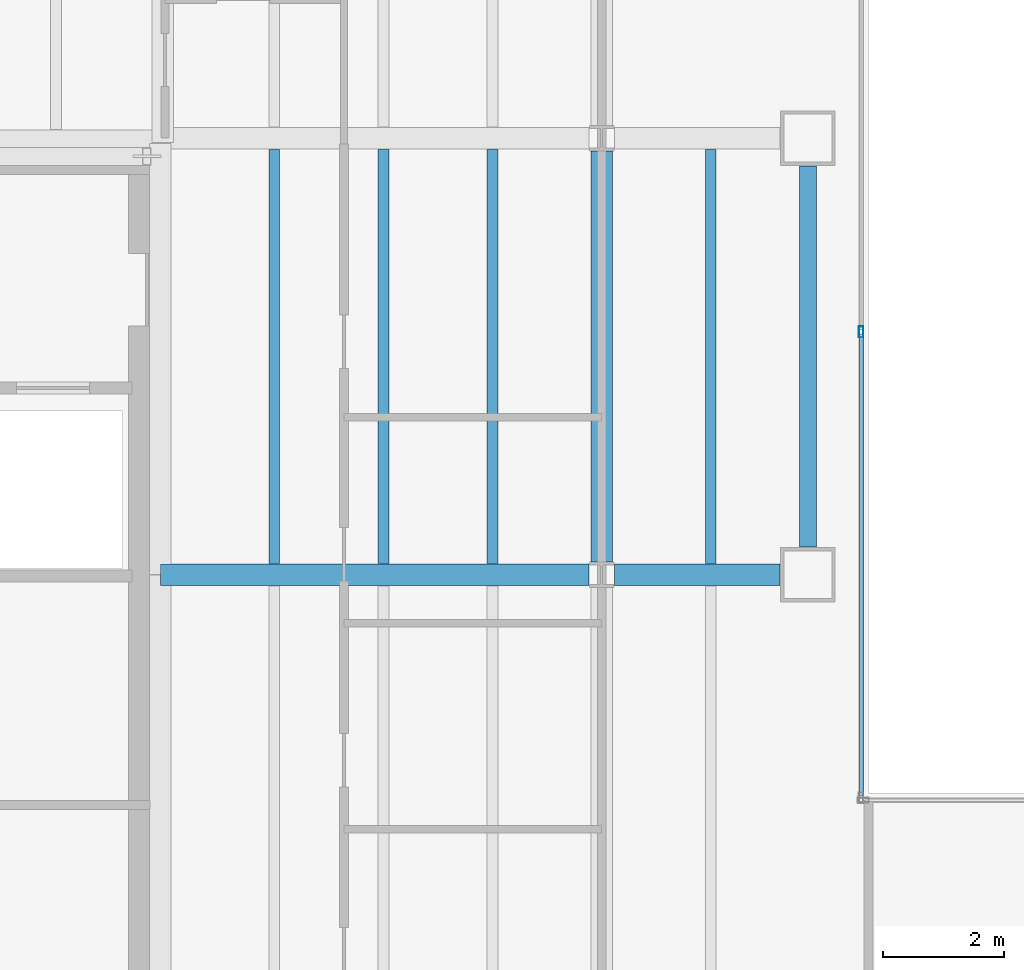
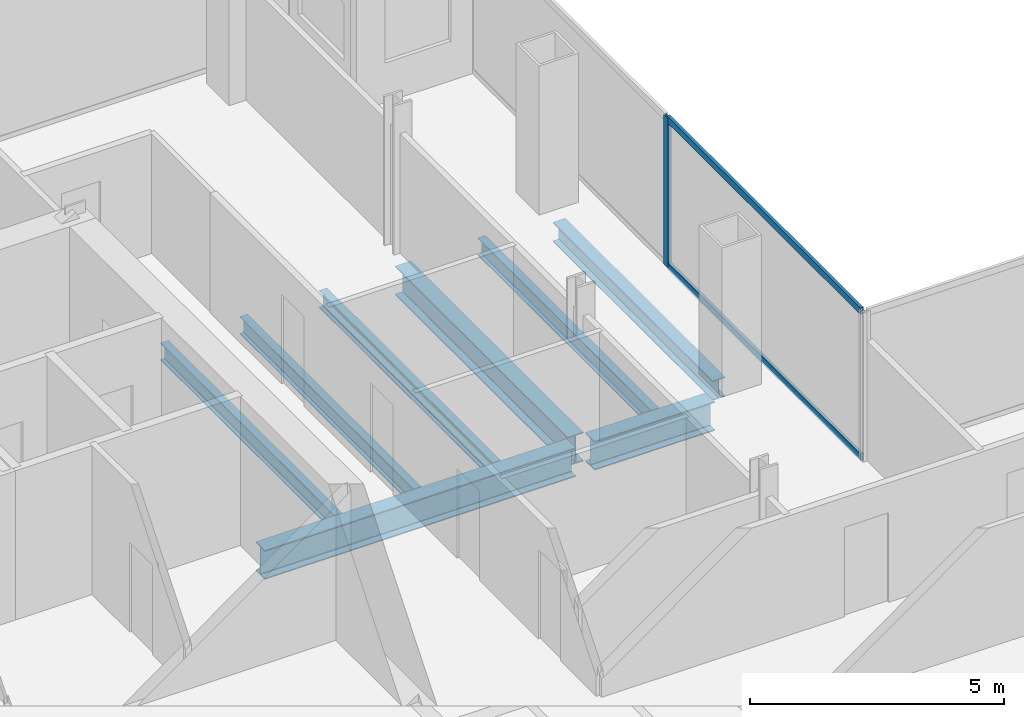
# One storey, part 8 of 24: 8 beams, 3 members, 1 element without a shape of its own.
"""IFC4 building model written with IfcOpenShell, lengths in metres."""

from ifc_helpers import new_model, si_unit, direction, frame, origin, origin_2d, place, context, subcontext, project, spatial, hollow_rectangle, i_section, extrude, material, material_profile, profile_set, type_object, element, aggregate, save


model = new_model("IFC4")

# Units and contexts
model_context = context("Model", 3, precision=1e-05, world=origin(), true_north=direction((0.0, 1.0)))
body_context = subcontext(model_context, "Body", "Model", "MODEL_VIEW")
ifc_project = project(units=[si_unit("LENGTHUNIT", "METRE"), si_unit("AREAUNIT", "SQUARE_METRE"), si_unit("VOLUMEUNIT", "CUBIC_METRE"), si_unit("PLANEANGLEUNIT", "RADIAN"), si_unit("MASSUNIT", "GRAM", prefix="KILO")], contexts=[model_context])

# Site, building, storey
site_placement = place(None, origin())
site = spatial("IfcSite", under=ifc_project, at=site_placement, CompositionType="ELEMENT")
building_placement = place(site_placement, origin())
building = spatial("IfcBuilding", under=site, at=building_placement, Name="Cobrela Telecom Tower", CompositionType="ELEMENT")
storey_placement = place(building_placement, frame((0.0, 0.0, 136.85009765625)))
storey = spatial("IfcBuildingStorey", under=building, at=storey_placement, Name="L34", CompositionType="ELEMENT", Elevation=136.85009765625)

# Beams
ifc_material_1 = material(Name="Steel ASTM A992 Grade 50", Category="steel")
ifc_material_profile_1 = material_profile(ifc_material_1, i_section(OverallWidth=0.35595703125, OverallDepth=0.696044921875, WebThickness=0.015380859375, FlangeThickness=0.024658203125, FilletRadius=0.01806640625, at=origin_2d()), Name="W27X146")
ifc_profile_set_1 = profile_set([ifc_material_profile_1], Name="Steel ASTM A992 Grade 50")
beam_type_1 = type_object("IfcBeamType", Name="BM-GIRD-05", PredefinedType="USERDEFINED", material=ifc_profile_set_1)
beam_1_placement = place(storey_placement, frame((14.324951171875, 28.800048828125, -0.6181640625), z_axis=(1.0, 0.0, 0.0), x_axis=(0.0, 1.0, 0.0)))
element("IfcBeam", 1, at=beam_1_placement, inside=storey, type_object=beam_type_1, Name="L34 Primary Girder X23", ObjectType="GIRDER", PredefinedType="USERDEFINED", context=body_context, shape_type="SweptSolid", body=[
    extrude(i_section(OverallWidth=0.35595703125, OverallDepth=0.696044921875, WebThickness=0.015380859375, FlangeThickness=0.024658203125, FilletRadius=0.01806640625, at=origin_2d()), origin(), (0.0, 0.0, 1.0), 7.0654296875),
])
beam_2_placement = place(storey_placement, frame((21.8095703125, 28.800048828125, -0.6181640625), z_axis=(1.0, 0.0, 0.0), x_axis=(0.0, 1.0, 0.0)))
element("IfcBeam", 2, at=beam_2_placement, inside=storey, type_object=beam_type_1, Name="L34 Primary Girder X24", ObjectType="GIRDER", PredefinedType="USERDEFINED", context=body_context, shape_type="SweptSolid", body=[
    extrude(i_section(OverallWidth=0.35595703125, OverallDepth=0.696044921875, WebThickness=0.015380859375, FlangeThickness=0.024658203125, FilletRadius=0.01806640625, at=origin_2d()), origin(), (0.0, 0.0, 1.0), 2.7353515625),
])
beam_3_placement = place(storey_placement, frame((21.60009765625, 29.009521484375, -0.6181640625), z_axis=(0.0, 1.0, 0.0), x_axis=(-1.0, 0.0, 0.0)))
element("IfcBeam", 3, at=beam_3_placement, inside=storey, type_object=beam_type_1, Name="L34 Primary Girder Y43", ObjectType="GIRDER", PredefinedType="USERDEFINED", context=body_context, shape_type="SweptSolid", body=[
    extrude(i_section(OverallWidth=0.35595703125, OverallDepth=0.696044921875, WebThickness=0.015380859375, FlangeThickness=0.024658203125, FilletRadius=0.01806640625, at=origin_2d()), origin(), (0.0, 0.0, 1.0), 6.781005859375),
])
ifc_material_profile_2 = material_profile(ifc_material_1, i_section(OverallWidth=0.179931640625, OverallDepth=0.4169921875, WebThickness=0.010986328125, FlangeThickness=0.01806640625, FilletRadius=0.011962890625, at=origin_2d()), Name="W16X57")
ifc_profile_set_2 = profile_set([ifc_material_profile_2], Name="Steel ASTM A992 Grade 50")
beam_type_2 = type_object("IfcBeamType", Name="BM-JOIST-04", PredefinedType="JOIST", material=ifc_profile_set_2)
for number, where, z_axis, x_axis, name in (
    (4, (16.199951171875, 28.98291015625, -0.478515625), (0.0, 1.0, 0.0), (-1.0, 0.0, 0.0), "L34 Secondary Composite Floor Beam J07"),
    (5, (18.0, 28.98291015625, -0.478515625), (0.0, 1.0, 0.0), (-1.0, 0.0, 0.0), "L34 Secondary Composite Floor Beam J12"),
    (6, (19.800048828125, 28.98291015625, -0.478515625), (0.0, 1.0, 0.0), (-1.0, 0.0, 0.0), "L34 Secondary Composite Floor Beam J17"),
    (7, (23.39990234375, 28.98291015625, -0.478515625), (0.0, 1.0, 0.0), (-1.0, 0.0, 0.0), "L34 Secondary Composite Floor Beam J22"),
):
    element("IfcBeam", number, at=place(storey_placement, frame(where, z_axis=z_axis, x_axis=x_axis)), inside=storey, type_object=beam_type_2, Name=name, PredefinedType="JOIST", context=body_context, shape_type="SweptSolid", body=[
        extrude(i_section(OverallWidth=0.179931640625, OverallDepth=0.4169921875, WebThickness=0.010986328125, FlangeThickness=0.01806640625, FilletRadius=0.011962890625, at=origin_2d()), origin(), (0.0, 0.0, 1.0), 6.833984375),
    ])
ifc_material_profile_3 = material_profile(ifc_material_1, i_section(OverallWidth=0.281982421875, OverallDepth=0.467041015625, WebThickness=0.01220703125, FlangeThickness=0.01953125, FilletRadius=0.012939453125, at=origin_2d()), Name="W18X86")
ifc_profile_set_3 = profile_set([ifc_material_profile_3], Name="Steel ASTM A992 Grade 50")
beam_type_3 = type_object("IfcBeamType", Name="BM-SPAND-04", PredefinedType="SPANDREL", material=ifc_profile_set_3)
beam_4_placement = place(storey_placement, frame((25.0, 29.2548828125, -0.503662109375), z_axis=(0.0, 1.0, 0.0), x_axis=(-1.0, 0.0, 0.0)))
element("IfcBeam", 8, at=beam_4_placement, inside=storey, type_object=beam_type_3, Name="L34 Perimeter Spandrel Y45", PredefinedType="SPANDREL", context=body_context, shape_type="SweptSolid", body=[
    extrude(i_section(OverallWidth=0.281982421875, OverallDepth=0.467041015625, WebThickness=0.01220703125, FlangeThickness=0.01953125, FilletRadius=0.012939453125, at=origin_2d()), origin(), (0.0, 0.0, 1.0), 6.2900390625),
])

# Curtain wall, members
ifc_material_2 = material(Name="Anodized Bronze Aluminium 6063-T6", Category="aluminium")
curtain_wall_type = type_object("IfcCurtainWallType", Name="CW-SYS-TEL", PredefinedType="USERDEFINED", material=ifc_material_2)
curtain_wall_placement = place(storey_placement, origin())
curtain_wall = element("IfcCurtainWall", 9, at=curtain_wall_placement, inside=storey, type_object=curtain_wall_type, Name="L34 Unitised Bronze Curtain Wall 10", ObjectType="UNITISED CURTAIN WALL", PredefinedType="USERDEFINED")
ifc_material_profile_4 = material_profile(ifc_material_2, hollow_rectangle(XDim=0.074951171875, YDim=0.179931640625, WallThickness=0.00390625, at=origin_2d()), Name="ALU 75x180x4")
ifc_profile_set_4 = profile_set([ifc_material_profile_4], Name="Anodized Bronze Aluminium 6063-T6")
member_type_1 = type_object("IfcMemberType", Name="CW-SYS-TEL-MUL", PredefinedType="MULLION", material=ifc_profile_set_4)
member_1_placement = place(storey_placement, frame((25.8798828125, 32.804931640625, 0.0), z_axis=(0.0, 0.0, 1.0), x_axis=(1.0, 0.0, 0.0)))
member_1 = element("IfcMember", 10, at=member_1_placement, type_object=member_type_1, Name="CW-TEL mullion 2", PredefinedType="MULLION", context=body_context, shape_type="SweptSolid", body=[
    extrude(hollow_rectangle(XDim=0.074951171875, YDim=0.179931640625, WallThickness=0.00390625, at=origin_2d()), origin(), (0.0, 0.0, 1.0), 3.579833984375),
])
ifc_material_profile_5 = material_profile(ifc_material_2, hollow_rectangle(XDim=0.070068359375, YDim=0.159912109375, WallThickness=0.00390625, at=origin_2d()), Name="ALU 70x160x4")
ifc_profile_set_5 = profile_set([ifc_material_profile_5], Name="Anodized Bronze Aluminium 6063-T6")
member_type_2 = type_object("IfcMemberType", Name="CW-SYS-TEL-TRN", PredefinedType="USERDEFINED", material=ifc_profile_set_5)
member_2_placement = place(storey_placement, frame((25.8798828125, 32.767578125, 0.034912109375), z_axis=(0.0, -1.0, 0.0), x_axis=(1.0, 0.0, 0.0)))
member_2 = element("IfcMember", 11, at=member_2_placement, type_object=member_type_2, Name="CW-TEL transom 2.1", ObjectType="TRANSOM", PredefinedType="USERDEFINED", context=body_context, shape_type="SweptSolid", body=[
    extrude(hollow_rectangle(XDim=0.070068359375, YDim=0.159912109375, WallThickness=0.00390625, at=origin_2d()), origin(), (0.0, 0.0, 1.0), 7.612548828125),
])
member_3_placement = place(storey_placement, frame((25.8798828125, 32.767578125, 3.544921875), z_axis=(0.0, -1.0, 0.0), x_axis=(1.0, 0.0, 0.0)))
member_3 = element("IfcMember", 12, at=member_3_placement, type_object=member_type_2, Name="CW-TEL transom 2.2", ObjectType="TRANSOM", PredefinedType="USERDEFINED", context=body_context, shape_type="SweptSolid", body=[
    extrude(hollow_rectangle(XDim=0.070068359375, YDim=0.159912109375, WallThickness=0.00390625, at=origin_2d()), origin(), (0.0, 0.0, 1.0), 7.612548828125),
])
aggregate(curtain_wall, [member_1, member_2, member_3])

save(model, "model.ifc")
